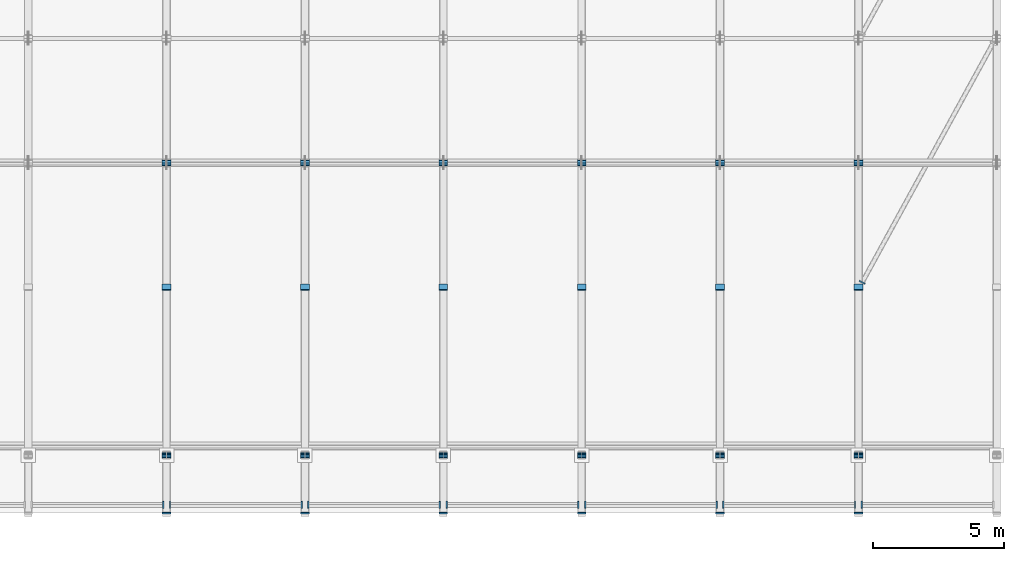
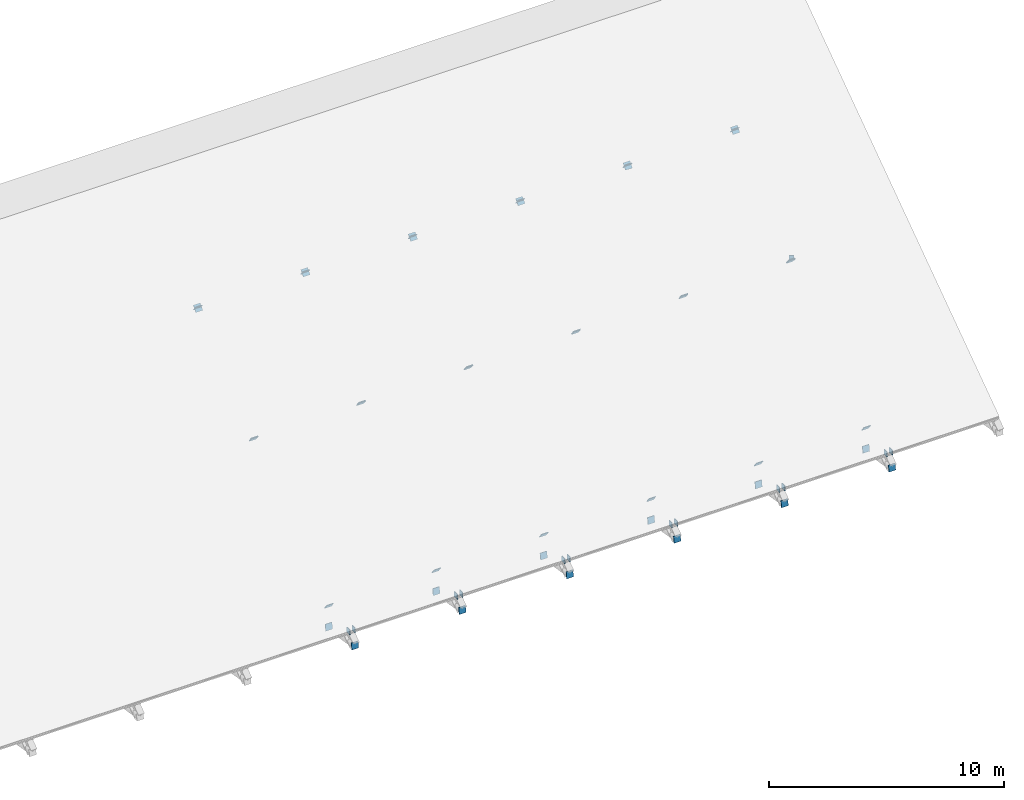
# One storey, part 49 of 57: 55 discrete accessories.
"""IFC4 building model written with IfcOpenShell, lengths in metres."""

from ifc_helpers import new_model, si_unit, direction, frame, origin, origin_2d, place, context, subcontext, project, spatial, rectangle, extrude, material, material_profile, profile_set, type_object, element, save


model = new_model("IFC4")

# Units and contexts
model_context = context("Model", 3, precision=1e-05, world=origin(), true_north=direction((0.0, 1.0)))
body_context = subcontext(model_context, "Body", "Model", "MODEL_VIEW")
ifc_project = project(units=[si_unit("LENGTHUNIT", "METRE"), si_unit("AREAUNIT", "SQUARE_METRE"), si_unit("VOLUMEUNIT", "CUBIC_METRE"), si_unit("PLANEANGLEUNIT", "RADIAN"), si_unit("MASSUNIT", "GRAM", prefix="KILO")], contexts=[model_context])

# Site, building, storey
site_placement = place(None, origin())
site = spatial("IfcSite", under=ifc_project, at=site_placement, CompositionType="ELEMENT")
building_placement = place(site_placement, origin())
building = spatial("IfcBuilding", under=site, at=building_placement, Name="Kelarvand Opera House", CompositionType="ELEMENT")
storey_placement = place(building_placement, frame((0.0, 0.0, 33.60009765625)))
storey = spatial("IfcBuildingStorey", under=building, at=storey_placement, Name="Roof", CompositionType="ELEMENT", Elevation=33.60009765625)

# Discrete accessories
ifc_material = material(Name="Steel S355", Category="steel")
ifc_material_profile_1 = material_profile(ifc_material, rectangle(XDim=0.22802734375, YDim=0.22802734375, at=origin_2d()), Name="Welded Steel Hollow End-Cap Plate 228x228x24", Category="steel")
ifc_profile_set_1 = profile_set([ifc_material_profile_1], Name="Steel S355")
discrete_accessory_type_1 = type_object("IfcDiscreteAccessoryType", Name="Welded Steel Hollow End-Cap Plate 228x228x24", PredefinedType="SHOE", material=ifc_profile_set_1)
discrete_accessory_placement = place(storey_placement, frame((136.673828125, 53.20703125, -4.800048828125), z_axis=(-0.479325065187, -0.877637443301, 0.0), x_axis=(0.877637443301, -0.479325065187, 0.0)))
element("IfcDiscreteAccessory", 1, at=discrete_accessory_placement, inside=storey, type_object=discrete_accessory_type_1, Name="Hollow Section Welded End Cap 433", PredefinedType="SHOE", context=body_context, shape_type="SweptSolid", body=[
    extrude(rectangle(XDim=0.22802734375, YDim=0.22802734375, at=origin_2d()), origin(), (0.0, 0.0, 1.0), 0.0361328125),
])
ifc_material_profile_2 = material_profile(ifc_material, rectangle(XDim=0.260009765625, YDim=0.260009765625, at=origin_2d()), Name="Welded Steel Hollow End-Cap Plate 260x260x24", Category="steel")
ifc_profile_set_2 = profile_set([ifc_material_profile_2], Name="Steel S355")
discrete_accessory_type_2 = type_object("IfcDiscreteAccessoryType", Name="Welded Steel Hollow End-Cap Plate 260x260x24", PredefinedType="SHOE", material=ifc_profile_set_2)
for number, where, z_axis, x_axis, name in (
    (2, (109.971923828125, 44.699951171875, -9.721923828125), (1.0, 0.0, 0.0), (0.0, 1.0, 0.0), "Hollow Section Welded End Cap 406"),
    (3, (110.26806640625, 44.699951171875, -9.721923828125), (-1.0, 0.0, 0.0), (0.0, -1.0, 0.0), "Hollow Section Welded End Cap 409"),
    (4, (115.251953125, 44.699951171875, -9.721923828125), (1.0, 0.0, 0.0), (0.0, 1.0, 0.0), "Hollow Section Welded End Cap 410"),
    (5, (115.548095703125, 44.699951171875, -9.721923828125), (-1.0, 0.0, 0.0), (0.0, -1.0, 0.0), "Hollow Section Welded End Cap 413"),
    (6, (120.531982421875, 44.699951171875, -9.721923828125), (1.0, 0.0, 0.0), (0.0, 1.0, 0.0), "Hollow Section Welded End Cap 414"),
):
    element("IfcDiscreteAccessory", number, at=place(storey_placement, frame(where, z_axis=z_axis, x_axis=x_axis)), inside=storey, type_object=discrete_accessory_type_2, Name=name, PredefinedType="SHOE", context=body_context, shape_type="SweptSolid", body=[
        extrude(rectangle(XDim=0.260009765625, YDim=0.260009765625, at=origin_2d()), origin(), (0.0, 0.0, 1.0), 0.0361328125),
    ])
for number, where, z_axis, x_axis, name in (
    (7, (120.827880859375, 44.699951171875, -9.721923828125), (-1.0, 0.0, 0.0), (0.0, -1.0, 0.0), "Hollow Section Welded End Cap 417"),
    (8, (125.81201171875, 44.699951171875, -9.721923828125), (1.0, 0.0, 0.0), (0.0, 1.0, 0.0), "Hollow Section Welded End Cap 418"),
    (9, (126.10791015625, 44.699951171875, -9.721923828125), (-1.0, 0.0, 0.0), (0.0, -1.0, 0.0), "Hollow Section Welded End Cap 421"),
    (10, (131.092041015625, 44.699951171875, -9.721923828125), (1.0, 0.0, 0.0), (0.0, 1.0, 0.0), "Hollow Section Welded End Cap 422"),
    (11, (131.387939453125, 44.699951171875, -9.721923828125), (-1.0, 0.0, 0.0), (0.0, -1.0, 0.0), "Hollow Section Welded End Cap 425"),
    (12, (136.3720703125, 44.699951171875, -9.721923828125), (1.0, 0.0, 0.0), (0.0, 1.0, 0.0), "Hollow Section Welded End Cap 426"),
    (13, (136.66796875, 44.699951171875, -9.721923828125), (-1.0, 0.0, 0.0), (0.0, -1.0, 0.0), "Hollow Section Welded End Cap 429"),
):
    element("IfcDiscreteAccessory", number, at=place(storey_placement, frame(where, z_axis=z_axis, x_axis=x_axis)), inside=storey, type_object=discrete_accessory_type_2, Name=name, PredefinedType="SHOE", context=body_context, shape_type="SweptSolid", body=[
        extrude(rectangle(XDim=0.260009765625, YDim=0.260009765625, at=origin_2d()), origin(), (0.0, 0.0, 1.0), 0.035888671875),
    ])
ifc_material_profile_3 = material_profile(ifc_material, rectangle(XDim=0.3330078125, YDim=0.3330078125, at=origin_2d()), Name="Welded Steel Hollow End-Cap Plate 333x333x24", Category="steel")
ifc_profile_set_3 = profile_set([ifc_material_profile_3], Name="Steel S355")
discrete_accessory_type_3 = type_object("IfcDiscreteAccessoryType", Name="Welded Steel Hollow End-Cap Plate 333x333x24", PredefinedType="SHOE", material=ifc_profile_set_3)
for number, where, z_axis, x_axis, name in (
    (14, (110.1201171875, 46.592041015625, -10.69873046875), (0.0, 0.986756818481, -0.162206600298), (-1.0, 0.0, 0.0), "Hollow Section Welded End Cap 277"),
    (15, (110.1201171875, 44.407958984375, -10.33349609375), (0.0, -0.986756818481, 0.162206600298), (1.0, 0.0, 0.0), "Hollow Section Welded End Cap 278"),
    (16, (110.1201171875, 46.6064453125, -9.59521484375), (0.0, -0.798373260242, -0.602162882725), (1.0, 0.0, 0.0), "Hollow Section Welded End Cap 281"),
    (17, (110.1201171875, 52.99365234375, -4.804931640625), (0.0, 0.798373260242, 0.602162882725), (-1.0, 0.0, 0.0), "Hollow Section Welded End Cap 282"),
):
    element("IfcDiscreteAccessory", number, at=place(storey_placement, frame(where, z_axis=z_axis, x_axis=x_axis)), inside=storey, type_object=discrete_accessory_type_3, Name=name, PredefinedType="SHOE", context=body_context, shape_type="SweptSolid", body=[
        extrude(rectangle(XDim=0.3330078125, YDim=0.3330078125, at=origin_2d()), origin(), (0.0, 0.0, 1.0), 0.0361328125),
    ])
for number, where, z_axis, x_axis, name in (
    (18, (110.1201171875, 53.006103515625, -4.794921875), (0.0, -0.768778639846, -0.639514974739), (1.0, 0.0, 0.0), "Hollow Section Welded End Cap 285"),
    (19, (110.1201171875, 57.743896484375, -0.896484375), (0.0, 0.768778639846, 0.639514974739), (-1.0, 0.0, 0.0), "Hollow Section Welded End Cap 286"),
    (20, (110.1201171875, 57.756103515625, -0.896484375), (0.0, -0.768778639846, 0.639514974739), (1.0, 0.0, 0.0), "Hollow Section Welded End Cap 287"),
):
    element("IfcDiscreteAccessory", number, at=place(storey_placement, frame(where, z_axis=z_axis, x_axis=x_axis)), inside=storey, type_object=discrete_accessory_type_3, Name=name, PredefinedType="SHOE", context=body_context, shape_type="SweptSolid", body=[
        extrude(rectangle(XDim=0.3330078125, YDim=0.3330078125, at=origin_2d()), origin(), (0.0, 0.0, 1.0), 0.035888671875),
    ])
for number, where, z_axis, x_axis, name in (
    (21, (115.39990234375, 46.592041015625, -10.69873046875), (0.0, 0.986756818481, -0.162206600298), (-1.0, 0.0, 0.0), "Hollow Section Welded End Cap 293"),
    (22, (115.39990234375, 44.407958984375, -10.33349609375), (0.0, -0.986756818481, 0.162206600298), (1.0, 0.0, 0.0), "Hollow Section Welded End Cap 294"),
    (23, (115.39990234375, 46.6064453125, -9.59521484375), (0.0, -0.798373260242, -0.602162882725), (1.0, 0.0, 0.0), "Hollow Section Welded End Cap 297"),
    (24, (115.39990234375, 52.99365234375, -4.804931640625), (0.0, 0.798373260242, 0.602162882725), (-1.0, 0.0, 0.0), "Hollow Section Welded End Cap 298"),
):
    element("IfcDiscreteAccessory", number, at=place(storey_placement, frame(where, z_axis=z_axis, x_axis=x_axis)), inside=storey, type_object=discrete_accessory_type_3, Name=name, PredefinedType="SHOE", context=body_context, shape_type="SweptSolid", body=[
        extrude(rectangle(XDim=0.3330078125, YDim=0.3330078125, at=origin_2d()), origin(), (0.0, 0.0, 1.0), 0.0361328125),
    ])
for number, where, z_axis, x_axis, name in (
    (25, (115.39990234375, 53.006103515625, -4.794921875), (0.0, -0.768778639846, -0.639514974739), (1.0, 0.0, 0.0), "Hollow Section Welded End Cap 301"),
    (26, (115.39990234375, 57.743896484375, -0.896484375), (0.0, 0.768778639846, 0.639514974739), (-1.0, 0.0, 0.0), "Hollow Section Welded End Cap 302"),
    (27, (115.39990234375, 57.756103515625, -0.896484375), (0.0, -0.768778639846, 0.639514974739), (1.0, 0.0, 0.0), "Hollow Section Welded End Cap 303"),
):
    element("IfcDiscreteAccessory", number, at=place(storey_placement, frame(where, z_axis=z_axis, x_axis=x_axis)), inside=storey, type_object=discrete_accessory_type_3, Name=name, PredefinedType="SHOE", context=body_context, shape_type="SweptSolid", body=[
        extrude(rectangle(XDim=0.3330078125, YDim=0.3330078125, at=origin_2d()), origin(), (0.0, 0.0, 1.0), 0.035888671875),
    ])
for number, where, z_axis, x_axis, name in (
    (28, (120.679931640625, 46.592041015625, -10.69873046875), (0.0, 0.986756818481, -0.162206600298), (-1.0, 0.0, 0.0), "Hollow Section Welded End Cap 309"),
    (29, (120.679931640625, 44.407958984375, -10.33349609375), (0.0, -0.986756818481, 0.162206600298), (1.0, 0.0, 0.0), "Hollow Section Welded End Cap 310"),
    (30, (120.679931640625, 46.6064453125, -9.59521484375), (0.0, -0.798373260242, -0.602162882725), (1.0, 0.0, 0.0), "Hollow Section Welded End Cap 313"),
    (31, (120.679931640625, 52.99365234375, -4.804931640625), (0.0, 0.798373260242, 0.602162882725), (-1.0, 0.0, 0.0), "Hollow Section Welded End Cap 314"),
):
    element("IfcDiscreteAccessory", number, at=place(storey_placement, frame(where, z_axis=z_axis, x_axis=x_axis)), inside=storey, type_object=discrete_accessory_type_3, Name=name, PredefinedType="SHOE", context=body_context, shape_type="SweptSolid", body=[
        extrude(rectangle(XDim=0.3330078125, YDim=0.3330078125, at=origin_2d()), origin(), (0.0, 0.0, 1.0), 0.0361328125),
    ])
for number, where, z_axis, x_axis, name in (
    (32, (120.679931640625, 53.006103515625, -4.794921875), (0.0, -0.768778639846, -0.639514974739), (1.0, 0.0, 0.0), "Hollow Section Welded End Cap 317"),
    (33, (120.679931640625, 57.743896484375, -0.896484375), (0.0, 0.768778639846, 0.639514974739), (-1.0, 0.0, 0.0), "Hollow Section Welded End Cap 318"),
    (34, (120.679931640625, 57.756103515625, -0.896484375), (0.0, -0.768778639846, 0.639514974739), (1.0, 0.0, 0.0), "Hollow Section Welded End Cap 319"),
):
    element("IfcDiscreteAccessory", number, at=place(storey_placement, frame(where, z_axis=z_axis, x_axis=x_axis)), inside=storey, type_object=discrete_accessory_type_3, Name=name, PredefinedType="SHOE", context=body_context, shape_type="SweptSolid", body=[
        extrude(rectangle(XDim=0.3330078125, YDim=0.3330078125, at=origin_2d()), origin(), (0.0, 0.0, 1.0), 0.035888671875),
    ])
for number, where, z_axis, x_axis, name in (
    (35, (125.9599609375, 46.592041015625, -10.69873046875), (0.0, 0.986756818481, -0.162206600298), (-1.0, 0.0, 0.0), "Hollow Section Welded End Cap 325"),
    (36, (125.9599609375, 44.407958984375, -10.33349609375), (0.0, -0.986756818481, 0.162206600298), (1.0, 0.0, 0.0), "Hollow Section Welded End Cap 326"),
    (37, (125.9599609375, 46.6064453125, -9.59521484375), (0.0, -0.798373260242, -0.602162882725), (1.0, 0.0, 0.0), "Hollow Section Welded End Cap 329"),
    (38, (125.9599609375, 52.99365234375, -4.804931640625), (0.0, 0.798373260242, 0.602162882725), (-1.0, 0.0, 0.0), "Hollow Section Welded End Cap 330"),
):
    element("IfcDiscreteAccessory", number, at=place(storey_placement, frame(where, z_axis=z_axis, x_axis=x_axis)), inside=storey, type_object=discrete_accessory_type_3, Name=name, PredefinedType="SHOE", context=body_context, shape_type="SweptSolid", body=[
        extrude(rectangle(XDim=0.3330078125, YDim=0.3330078125, at=origin_2d()), origin(), (0.0, 0.0, 1.0), 0.0361328125),
    ])
for number, where, z_axis, x_axis, name in (
    (39, (125.9599609375, 53.006103515625, -4.794921875), (0.0, -0.768778639846, -0.639514974739), (1.0, 0.0, 0.0), "Hollow Section Welded End Cap 333"),
    (40, (125.9599609375, 57.743896484375, -0.896484375), (0.0, 0.768778639846, 0.639514974739), (-1.0, 0.0, 0.0), "Hollow Section Welded End Cap 334"),
    (41, (125.9599609375, 57.756103515625, -0.896484375), (0.0, -0.768778639846, 0.639514974739), (1.0, 0.0, 0.0), "Hollow Section Welded End Cap 335"),
):
    element("IfcDiscreteAccessory", number, at=place(storey_placement, frame(where, z_axis=z_axis, x_axis=x_axis)), inside=storey, type_object=discrete_accessory_type_3, Name=name, PredefinedType="SHOE", context=body_context, shape_type="SweptSolid", body=[
        extrude(rectangle(XDim=0.3330078125, YDim=0.3330078125, at=origin_2d()), origin(), (0.0, 0.0, 1.0), 0.035888671875),
    ])
for number, where, z_axis, x_axis, name in (
    (42, (131.239990234375, 46.592041015625, -10.69873046875), (0.0, 0.986756818481, -0.162206600298), (-1.0, 0.0, 0.0), "Hollow Section Welded End Cap 341"),
    (43, (131.239990234375, 44.407958984375, -10.33349609375), (0.0, -0.986756818481, 0.162206600298), (1.0, 0.0, 0.0), "Hollow Section Welded End Cap 342"),
    (44, (131.239990234375, 46.6064453125, -9.59521484375), (0.0, -0.798373260242, -0.602162882725), (1.0, 0.0, 0.0), "Hollow Section Welded End Cap 345"),
    (45, (131.239990234375, 52.99365234375, -4.804931640625), (0.0, 0.798373260242, 0.602162882725), (-1.0, 0.0, 0.0), "Hollow Section Welded End Cap 346"),
):
    element("IfcDiscreteAccessory", number, at=place(storey_placement, frame(where, z_axis=z_axis, x_axis=x_axis)), inside=storey, type_object=discrete_accessory_type_3, Name=name, PredefinedType="SHOE", context=body_context, shape_type="SweptSolid", body=[
        extrude(rectangle(XDim=0.3330078125, YDim=0.3330078125, at=origin_2d()), origin(), (0.0, 0.0, 1.0), 0.0361328125),
    ])
for number, where, z_axis, x_axis, name in (
    (46, (131.239990234375, 53.006103515625, -4.794921875), (0.0, -0.768778639846, -0.639514974739), (1.0, 0.0, 0.0), "Hollow Section Welded End Cap 349"),
    (47, (131.239990234375, 57.743896484375, -0.896484375), (0.0, 0.768778639846, 0.639514974739), (-1.0, 0.0, 0.0), "Hollow Section Welded End Cap 350"),
    (48, (131.239990234375, 57.756103515625, -0.896484375), (0.0, -0.768778639846, 0.639514974739), (1.0, 0.0, 0.0), "Hollow Section Welded End Cap 351"),
):
    element("IfcDiscreteAccessory", number, at=place(storey_placement, frame(where, z_axis=z_axis, x_axis=x_axis)), inside=storey, type_object=discrete_accessory_type_3, Name=name, PredefinedType="SHOE", context=body_context, shape_type="SweptSolid", body=[
        extrude(rectangle(XDim=0.3330078125, YDim=0.3330078125, at=origin_2d()), origin(), (0.0, 0.0, 1.0), 0.035888671875),
    ])
for number, where, z_axis, x_axis, name in (
    (49, (136.52001953125, 46.592041015625, -10.69873046875), (0.0, 0.986756818481, -0.162206600298), (-1.0, 0.0, 0.0), "Hollow Section Welded End Cap 357"),
    (50, (136.52001953125, 44.407958984375, -10.33349609375), (0.0, -0.986756818481, 0.162206600298), (1.0, 0.0, 0.0), "Hollow Section Welded End Cap 358"),
    (51, (136.52001953125, 46.6064453125, -9.59521484375), (0.0, -0.798373260242, -0.602162882725), (1.0, 0.0, 0.0), "Hollow Section Welded End Cap 361"),
    (52, (136.52001953125, 52.99365234375, -4.804931640625), (0.0, 0.798373260242, 0.602162882725), (-1.0, 0.0, 0.0), "Hollow Section Welded End Cap 362"),
):
    element("IfcDiscreteAccessory", number, at=place(storey_placement, frame(where, z_axis=z_axis, x_axis=x_axis)), inside=storey, type_object=discrete_accessory_type_3, Name=name, PredefinedType="SHOE", context=body_context, shape_type="SweptSolid", body=[
        extrude(rectangle(XDim=0.3330078125, YDim=0.3330078125, at=origin_2d()), origin(), (0.0, 0.0, 1.0), 0.0361328125),
    ])
for number, where, z_axis, x_axis, name in (
    (53, (136.52001953125, 53.006103515625, -4.794921875), (0.0, -0.768778639846, -0.639514974739), (1.0, 0.0, 0.0), "Hollow Section Welded End Cap 365"),
    (54, (136.52001953125, 57.743896484375, -0.896484375), (0.0, 0.768778639846, 0.639514974739), (-1.0, 0.0, 0.0), "Hollow Section Welded End Cap 366"),
    (55, (136.52001953125, 57.756103515625, -0.896484375), (0.0, -0.768778639846, 0.639514974739), (1.0, 0.0, 0.0), "Hollow Section Welded End Cap 367"),
):
    element("IfcDiscreteAccessory", number, at=place(storey_placement, frame(where, z_axis=z_axis, x_axis=x_axis)), inside=storey, type_object=discrete_accessory_type_3, Name=name, PredefinedType="SHOE", context=body_context, shape_type="SweptSolid", body=[
        extrude(rectangle(XDim=0.3330078125, YDim=0.3330078125, at=origin_2d()), origin(), (0.0, 0.0, 1.0), 0.035888671875),
    ])

save(model, "model.ifc")
